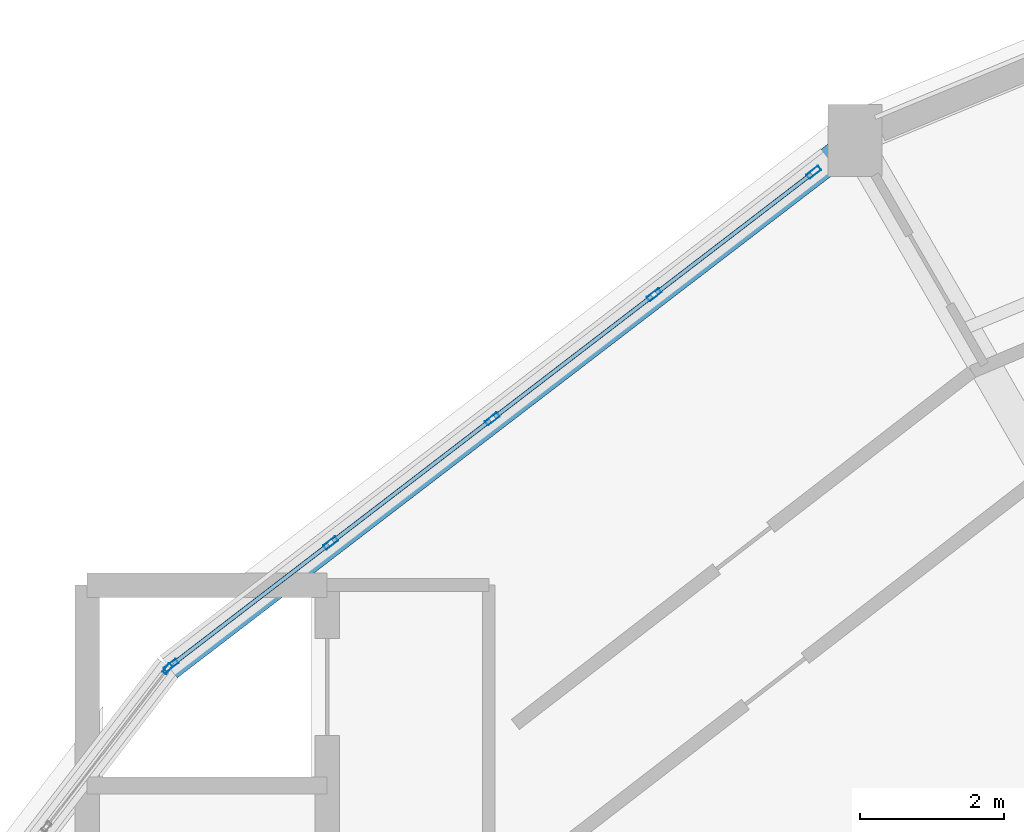
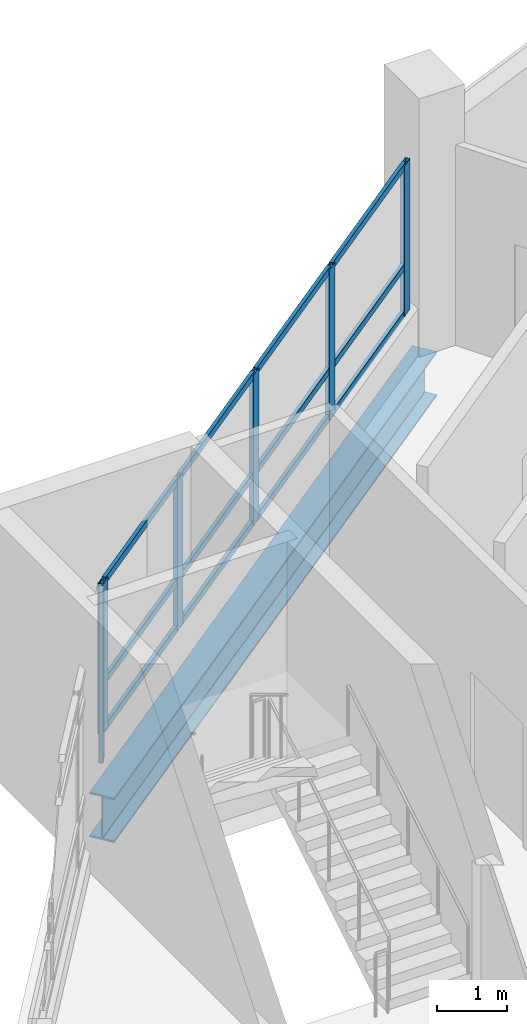
# One storey, part 54 of 129: 18 members, 1 beam, 2 elements without a shape of their own.
"""IFC4 building model written with IfcOpenShell, lengths in metres."""

from ifc_helpers import new_model, si_unit, direction, frame, origin, origin_2d, place, context, subcontext, project, spatial, hollow_rectangle, i_section, extrude, material, layer, layer_set, material_profile, profile_set, type_object, element, aggregate, save


model = new_model("IFC4")

# Units and contexts
model_context = context("Model", 3, precision=1e-05, world=origin(), true_north=direction((0.0, 1.0)))
body_context = subcontext(model_context, "Body", "Model", "MODEL_VIEW")
ifc_project = project(units=[si_unit("LENGTHUNIT", "METRE"), si_unit("AREAUNIT", "SQUARE_METRE"), si_unit("VOLUMEUNIT", "CUBIC_METRE"), si_unit("PLANEANGLEUNIT", "RADIAN"), si_unit("MASSUNIT", "GRAM", prefix="KILO")], contexts=[model_context])

# Site, building, storey
site_placement = place(None, origin())
site = spatial("IfcSite", under=ifc_project, at=site_placement, CompositionType="ELEMENT")
building_placement = place(site_placement, origin())
building = spatial("IfcBuilding", under=site, at=building_placement, Name="Vespera Passage Community Centre", CompositionType="ELEMENT")
storey_placement = place(building_placement, origin())
storey = spatial("IfcBuildingStorey", under=building, at=storey_placement, Name="L00", CompositionType="ELEMENT", Elevation=0.0)

# Beam
ifc_material_1 = material(Name="Steel ASTM A992 Grade 50", Category="steel")
ifc_material_profile_1 = material_profile(ifc_material_1, i_section(OverallWidth=0.382080078125, OverallDepth=0.779296875, WebThickness=0.01806640625, FlangeThickness=0.030029296875, FilletRadius=0.0166015625, at=origin_2d()), Name="W30X191")
ifc_profile_set_1 = profile_set([ifc_material_profile_1], Name="Steel ASTM A992 Grade 50")
beam_type = type_object("IfcBeamType", Name="BM-SP-W30X191E", PredefinedType="SPANDREL", material=ifc_profile_set_1)
beam_placement = place(storey_placement, frame((54.949951171875, 105.423828125, -0.669677734375), z_axis=(-0.793351934501, -0.608763261066, 0.0), x_axis=(0.608763261066, -0.793351934501, 0.0)))
element("IfcBeam", 1, at=beam_placement, inside=storey, type_object=beam_type, Name="V4 L00 Outer Spandrel 8", PredefinedType="SPANDREL", context=body_context, shape_type="SweptSolid", body=[
    extrude(i_section(OverallWidth=0.382080078125, OverallDepth=0.779296875, WebThickness=0.01806640625, FlangeThickness=0.030029296875, FilletRadius=0.0166015625, at=origin_2d()), origin(), (0.0, 0.0, 1.0), 12.034423828125),
])

# Curtain wall, member
ifc_material_2 = material(Name="Anodized aluminium 6063-T6", Category="aluminium")
ifc_layer_1 = layer(ifc_material_2, 0.159912109375)
ifc_layer_set_1 = layer_set([ifc_layer_1], Name="Anodized aluminium 6063-T6")
curtain_wall_type_1 = type_object("IfcCurtainWallType", Name="CW-06E", PredefinedType="NOTDEFINED", material=ifc_layer_set_1)
curtain_wall_1_placement = place(storey_placement, origin())
curtain_wall_1 = element("IfcCurtainWall", 2, at=curtain_wall_1_placement, inside=storey, type_object=curtain_wall_type_1, Name="V4 L00 Outer Ribbon Curtain Wall 9", PredefinedType="NOTDEFINED")
ifc_material_3 = material(Name="Anodized aluminium 6063-T6", Category="aluminium")
ifc_material_profile_2 = material_profile(ifc_material_3, hollow_rectangle(XDim=0.06494140625, YDim=0.14990234375, WallThickness=0.00390625, InnerFilletRadius=0.001953125, OuterFilletRadius=0.00390625, at=origin_2d()), Name="ALU150X65X4")
ifc_profile_set_2 = profile_set([ifc_material_profile_2], Name="Anodized aluminium 6063-T6")
member_type_1 = type_object("IfcMemberType", Name="MB-CWM-150E", PredefinedType="MULLION", material=ifc_profile_set_2)
member_1_placement = place(storey_placement, frame((45.382568359375, 98.07177734375, 0.35009765625), z_axis=(0.0, 0.0, 1.0), x_axis=(-0.793350429062, 0.608765222978, 0.0)))
member_1 = element("IfcMember", 3, at=member_1_placement, type_object=member_type_1, Name="CW-06E mullion 5", PredefinedType="MULLION", context=body_context, shape_type="SweptSolid", body=[
    extrude(hollow_rectangle(XDim=0.06494140625, YDim=0.14990234375, WallThickness=0.00390625, InnerFilletRadius=0.001953125, OuterFilletRadius=0.00390625, at=origin_2d()), origin(), (0.0, 0.0, 1.0), 3.095458984375),
])
aggregate(curtain_wall_1, [member_1])

# Curtain wall, members
ifc_material_4 = material(Name="Anodized aluminium 6063-T6", Category="aluminium")
ifc_layer_2 = layer(ifc_material_4, 0.159912109375)
ifc_layer_set_2 = layer_set([ifc_layer_2], Name="Anodized aluminium 6063-T6")
curtain_wall_type_2 = type_object("IfcCurtainWallType", Name="CW-04E", PredefinedType="NOTDEFINED", material=ifc_layer_set_2)
curtain_wall_2_placement = place(storey_placement, origin())
curtain_wall_2 = element("IfcCurtainWall", 4, at=curtain_wall_2_placement, inside=storey, type_object=curtain_wall_type_2, Name="V4 L00 Outer Ribbon Curtain Wall 8", PredefinedType="NOTDEFINED")
ifc_material_5 = material(Name="Anodized aluminium 6063-T6", Category="aluminium")
ifc_material_profile_3 = material_profile(ifc_material_5, hollow_rectangle(XDim=0.074951171875, YDim=0.2099609375, WallThickness=0.0048828125, InnerFilletRadius=0.00244140625, OuterFilletRadius=0.0048828125, at=origin_2d()), Name="ALU210X75X5")
ifc_profile_set_3 = profile_set([ifc_material_profile_3], Name="Anodized aluminium 6063-T6")
member_type_2 = type_object("IfcMemberType", Name="MB-CWM-210E", PredefinedType="MULLION", material=ifc_profile_set_3)
member_2_placement = place(storey_placement, frame((45.43212890625, 98.120361328125, 0.820068359375), z_axis=(0.0, 0.0, 1.0), x_axis=(-0.608768221519, 0.793348128169, 0.0)))
member_2 = element("IfcMember", 5, at=member_2_placement, type_object=member_type_2, Name="CW-04E mullion 1", PredefinedType="MULLION", context=body_context, shape_type="SweptSolid", body=[
    extrude(hollow_rectangle(XDim=0.074951171875, YDim=0.2099609375, WallThickness=0.0048828125, InnerFilletRadius=0.00244140625, OuterFilletRadius=0.0048828125, at=origin_2d()), origin(), (0.0, 0.0, 1.0), 2.62548828125),
])
member_3_placement = place(storey_placement, frame((47.65283203125, 99.824462890625, 0.820068359375), z_axis=(0.0, 0.0, 1.0), x_axis=(-0.608768221519, 0.793348128169, 0.0)))
member_3 = element("IfcMember", 6, at=member_3_placement, type_object=member_type_2, Name="CW-04E mullion 2", PredefinedType="MULLION", context=body_context, shape_type="SweptSolid", body=[
    extrude(hollow_rectangle(XDim=0.074951171875, YDim=0.2099609375, WallThickness=0.0048828125, InnerFilletRadius=0.00244140625, OuterFilletRadius=0.0048828125, at=origin_2d()), origin(), (0.0, 0.0, 1.0), 2.62548828125),
])
member_4_placement = place(storey_placement, frame((49.9033203125, 101.551513671875, 0.820068359375), z_axis=(0.0, 0.0, 1.0), x_axis=(-0.608768221519, 0.793348128169, 0.0)))
member_4 = element("IfcMember", 7, at=member_4_placement, type_object=member_type_2, Name="CW-04E mullion 3", PredefinedType="MULLION", context=body_context, shape_type="SweptSolid", body=[
    extrude(hollow_rectangle(XDim=0.074951171875, YDim=0.2099609375, WallThickness=0.0048828125, InnerFilletRadius=0.00244140625, OuterFilletRadius=0.0048828125, at=origin_2d()), origin(), (0.0, 0.0, 1.0), 2.62548828125),
])
member_5_placement = place(storey_placement, frame((52.15380859375, 103.2783203125, 0.820068359375), z_axis=(0.0, 0.0, 1.0), x_axis=(-0.608768221519, 0.793348128169, 0.0)))
member_5 = element("IfcMember", 8, at=member_5_placement, type_object=member_type_2, Name="CW-04E mullion 4", PredefinedType="MULLION", context=body_context, shape_type="SweptSolid", body=[
    extrude(hollow_rectangle(XDim=0.074951171875, YDim=0.2099609375, WallThickness=0.0048828125, InnerFilletRadius=0.00244140625, OuterFilletRadius=0.0048828125, at=origin_2d()), origin(), (0.0, 0.0, 1.0), 2.62548828125),
])
member_6_placement = place(storey_placement, frame((54.374755859375, 104.982421875, 0.820068359375), z_axis=(0.0, 0.0, 1.0), x_axis=(-0.608768221519, 0.793348128169, 0.0)))
member_6 = element("IfcMember", 9, at=member_6_placement, type_object=member_type_2, Name="CW-04E mullion 5", PredefinedType="MULLION", context=body_context, shape_type="SweptSolid", body=[
    extrude(hollow_rectangle(XDim=0.074951171875, YDim=0.2099609375, WallThickness=0.0048828125, InnerFilletRadius=0.00244140625, OuterFilletRadius=0.0048828125, at=origin_2d()), origin(), (0.0, 0.0, 1.0), 2.62548828125),
])
ifc_material_6 = material(Name="Anodized aluminium 6063-T6", Category="aluminium")
ifc_material_profile_4 = material_profile(ifc_material_6, hollow_rectangle(XDim=0.06005859375, YDim=0.1201171875, WallThickness=0.00390625, InnerFilletRadius=0.001953125, OuterFilletRadius=0.00390625, at=origin_2d()), Name="ALU120X60X4")
ifc_profile_set_4 = profile_set([ifc_material_profile_4], Name="Anodized aluminium 6063-T6")
member_type_3 = type_object("IfcMemberType", Name="MB-CWT-120E", PredefinedType="USERDEFINED", material=ifc_profile_set_4)
member_7_placement = place(storey_placement, frame((45.4619140625, 98.143310546875, 0.85009765625), z_axis=(0.793326438597, 0.608796486375, 0.0), x_axis=(-0.608796486375, 0.793326438597, 0.0)))
member_7 = element("IfcMember", 10, at=member_7_placement, type_object=member_type_3, Name="CW-04E transom 1.1", ObjectType="TRANSOM", PredefinedType="USERDEFINED", context=body_context, shape_type="SweptSolid", body=[
    extrude(hollow_rectangle(XDim=0.06005859375, YDim=0.1201171875, WallThickness=0.00390625, InnerFilletRadius=0.001953125, OuterFilletRadius=0.00390625, at=origin_2d()), origin(), (0.0, 0.0, 1.0), 2.72412109375),
])
member_8_placement = place(storey_placement, frame((45.4619140625, 98.143310546875, 1.669921875), z_axis=(0.793326438597, 0.608796486375, 0.0), x_axis=(-0.608796486375, 0.793326438597, 0.0)))
member_8 = element("IfcMember", 11, at=member_8_placement, type_object=member_type_3, Name="CW-04E transom 1.2", ObjectType="TRANSOM", PredefinedType="USERDEFINED", context=body_context, shape_type="SweptSolid", body=[
    extrude(hollow_rectangle(XDim=0.06005859375, YDim=0.1201171875, WallThickness=0.00390625, InnerFilletRadius=0.001953125, OuterFilletRadius=0.00390625, at=origin_2d()), origin(), (0.0, 0.0, 1.0), 2.72412109375),
])
member_9_placement = place(storey_placement, frame((45.4619140625, 98.143310546875, 3.41552734375), z_axis=(0.793326438597, 0.608796486375, 0.0), x_axis=(-0.608796486375, 0.793326438597, 0.0)))
member_9 = element("IfcMember", 12, at=member_9_placement, type_object=member_type_3, Name="CW-04E transom 1.3", ObjectType="TRANSOM", PredefinedType="USERDEFINED", context=body_context, shape_type="SweptSolid", body=[
    extrude(hollow_rectangle(XDim=0.06005859375, YDim=0.1201171875, WallThickness=0.00390625, InnerFilletRadius=0.001953125, OuterFilletRadius=0.00390625, at=origin_2d()), origin(), (0.0, 0.0, 1.0), 2.72412109375),
])
member_10_placement = place(storey_placement, frame((47.6826171875, 99.847412109375, 0.85009765625), z_axis=(0.793353015375, 0.608761852448, 0.0), x_axis=(-0.608761852448, 0.793353015375, 0.0)))
member_10 = element("IfcMember", 13, at=member_10_placement, type_object=member_type_3, Name="CW-04E transom 2.1", ObjectType="TRANSOM", PredefinedType="USERDEFINED", context=body_context, shape_type="SweptSolid", body=[
    extrude(hollow_rectangle(XDim=0.06005859375, YDim=0.1201171875, WallThickness=0.00390625, InnerFilletRadius=0.001953125, OuterFilletRadius=0.00390625, at=origin_2d()), origin(), (0.0, 0.0, 1.0), 2.761474609375),
])
member_11_placement = place(storey_placement, frame((47.6826171875, 99.847412109375, 1.669921875), z_axis=(0.793353015375, 0.608761852448, 0.0), x_axis=(-0.608761852448, 0.793353015375, 0.0)))
member_11 = element("IfcMember", 14, at=member_11_placement, type_object=member_type_3, Name="CW-04E transom 2.2", ObjectType="TRANSOM", PredefinedType="USERDEFINED", context=body_context, shape_type="SweptSolid", body=[
    extrude(hollow_rectangle(XDim=0.06005859375, YDim=0.1201171875, WallThickness=0.00390625, InnerFilletRadius=0.001953125, OuterFilletRadius=0.00390625, at=origin_2d()), origin(), (0.0, 0.0, 1.0), 2.761474609375),
])
member_12_placement = place(storey_placement, frame((47.6826171875, 99.847412109375, 3.41552734375), z_axis=(0.793353015375, 0.608761852448, 0.0), x_axis=(-0.608761852448, 0.793353015375, 0.0)))
member_12 = element("IfcMember", 15, at=member_12_placement, type_object=member_type_3, Name="CW-04E transom 2.3", ObjectType="TRANSOM", PredefinedType="USERDEFINED", context=body_context, shape_type="SweptSolid", body=[
    extrude(hollow_rectangle(XDim=0.06005859375, YDim=0.1201171875, WallThickness=0.00390625, InnerFilletRadius=0.001953125, OuterFilletRadius=0.00390625, at=origin_2d()), origin(), (0.0, 0.0, 1.0), 2.761474609375),
])
member_13_placement = place(storey_placement, frame((49.93310546875, 101.57421875, 0.85009765625), z_axis=(0.793385774295, 0.60871915786, 0.0), x_axis=(-0.60871915786, 0.793385774295, 0.0)))
member_13 = element("IfcMember", 16, at=member_13_placement, type_object=member_type_3, Name="CW-04E transom 3.1", ObjectType="TRANSOM", PredefinedType="USERDEFINED", context=body_context, shape_type="SweptSolid", body=[
    extrude(hollow_rectangle(XDim=0.06005859375, YDim=0.1201171875, WallThickness=0.00390625, InnerFilletRadius=0.001953125, OuterFilletRadius=0.00390625, at=origin_2d()), origin(), (0.0, 0.0, 1.0), 2.76171875),
])
member_14_placement = place(storey_placement, frame((49.93310546875, 101.57421875, 1.669921875), z_axis=(0.793385774295, 0.60871915786, 0.0), x_axis=(-0.60871915786, 0.793385774295, 0.0)))
member_14 = element("IfcMember", 17, at=member_14_placement, type_object=member_type_3, Name="CW-04E transom 3.2", ObjectType="TRANSOM", PredefinedType="USERDEFINED", context=body_context, shape_type="SweptSolid", body=[
    extrude(hollow_rectangle(XDim=0.06005859375, YDim=0.1201171875, WallThickness=0.00390625, InnerFilletRadius=0.001953125, OuterFilletRadius=0.00390625, at=origin_2d()), origin(), (0.0, 0.0, 1.0), 2.76171875),
])
member_15_placement = place(storey_placement, frame((49.93310546875, 101.57421875, 3.41552734375), z_axis=(0.793385774295, 0.60871915786, 0.0), x_axis=(-0.60871915786, 0.793385774295, 0.0)))
member_15 = element("IfcMember", 18, at=member_15_placement, type_object=member_type_3, Name="CW-04E transom 3.3", ObjectType="TRANSOM", PredefinedType="USERDEFINED", context=body_context, shape_type="SweptSolid", body=[
    extrude(hollow_rectangle(XDim=0.06005859375, YDim=0.1201171875, WallThickness=0.00390625, InnerFilletRadius=0.001953125, OuterFilletRadius=0.00390625, at=origin_2d()), origin(), (0.0, 0.0, 1.0), 2.76171875),
])
member_16_placement = place(storey_placement, frame((52.18359375, 103.301025390625, 0.85009765625), z_axis=(0.793359651626, 0.608753203829, 0.0), x_axis=(-0.608753203829, 0.793359651626, 0.0)))
member_16 = element("IfcMember", 19, at=member_16_placement, type_object=member_type_3, Name="CW-04E transom 4.1", ObjectType="TRANSOM", PredefinedType="USERDEFINED", context=body_context, shape_type="SweptSolid", body=[
    extrude(hollow_rectangle(XDim=0.06005859375, YDim=0.1201171875, WallThickness=0.00390625, InnerFilletRadius=0.001953125, OuterFilletRadius=0.00390625, at=origin_2d()), origin(), (0.0, 0.0, 1.0), 2.724365234375),
])
member_17_placement = place(storey_placement, frame((52.18359375, 103.301025390625, 1.669921875), z_axis=(0.793359651626, 0.608753203829, 0.0), x_axis=(-0.608753203829, 0.793359651626, 0.0)))
member_17 = element("IfcMember", 20, at=member_17_placement, type_object=member_type_3, Name="CW-04E transom 4.2", ObjectType="TRANSOM", PredefinedType="USERDEFINED", context=body_context, shape_type="SweptSolid", body=[
    extrude(hollow_rectangle(XDim=0.06005859375, YDim=0.1201171875, WallThickness=0.00390625, InnerFilletRadius=0.001953125, OuterFilletRadius=0.00390625, at=origin_2d()), origin(), (0.0, 0.0, 1.0), 2.724365234375),
])
member_18_placement = place(storey_placement, frame((52.18359375, 103.301025390625, 3.41552734375), z_axis=(0.793359651626, 0.608753203829, 0.0), x_axis=(-0.608753203829, 0.793359651626, 0.0)))
member_18 = element("IfcMember", 21, at=member_18_placement, type_object=member_type_3, Name="CW-04E transom 4.3", ObjectType="TRANSOM", PredefinedType="USERDEFINED", context=body_context, shape_type="SweptSolid", body=[
    extrude(hollow_rectangle(XDim=0.06005859375, YDim=0.1201171875, WallThickness=0.00390625, InnerFilletRadius=0.001953125, OuterFilletRadius=0.00390625, at=origin_2d()), origin(), (0.0, 0.0, 1.0), 2.724365234375),
])
aggregate(curtain_wall_2, [member_2, member_3, member_4, member_5, member_6, member_7, member_8, member_9, member_10, member_11, member_12, member_13, member_14, member_15, member_16, member_17, member_18])

save(model, "model.ifc")
